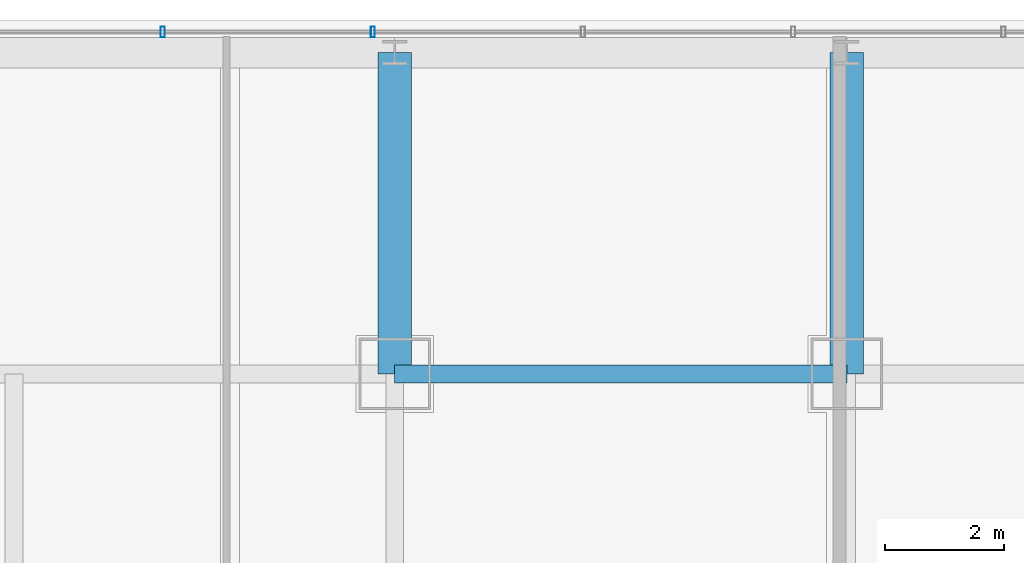
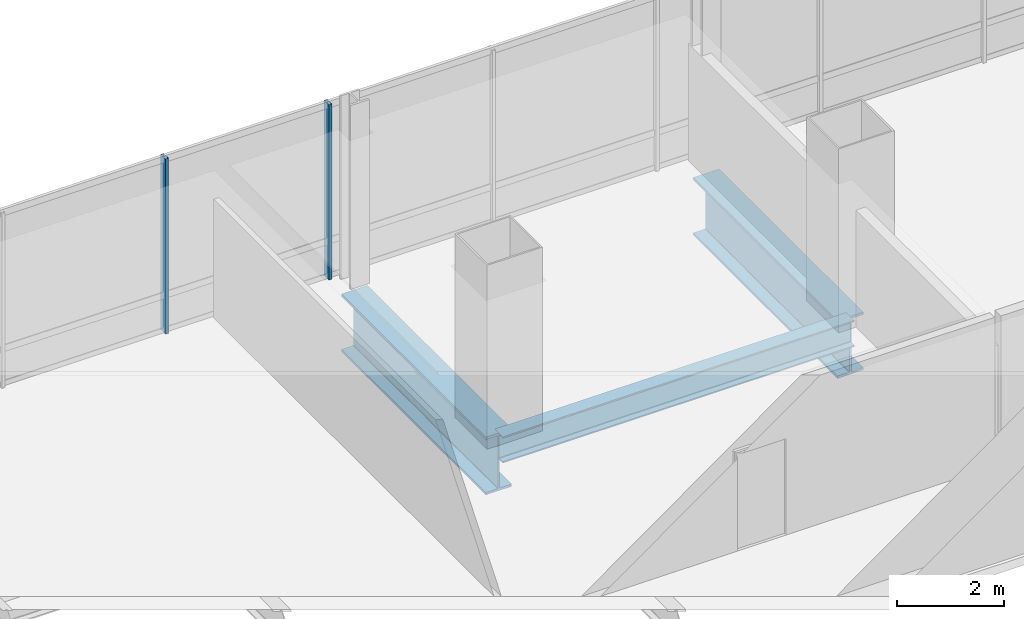
# One storey, part 25 of 41: 3 beams, 2 members, 1 element without a shape of its own.
"""IFC4 building model written with IfcOpenShell, lengths in metres."""

import ifcopenshell
import ifcopenshell.guid

model = None  # the IFC model being written
_history = None  # IfcOwnerHistory: only IFC2X3 demands one
_inside = {}  # id of a spatial element -> (the spatial element, [elements in it])
_under = {}  # id of a project, library or spatial element -> (it, [spatial elements below it])
_declared = {}  # id of a project -> (the project, [libraries it declares])
_typed = {}  # id of a type object -> (the type object, [elements of that type])
_made_of = {}  # id of a material, layer set ... -> (it, [elements and type objects made of it])


def new_model(schema):
    """Start an empty IFC model of exactly this schema.

    Asked for "IFC4X3", IfcOpenShell would pick the latest addendum, in which some entities
    have other attributes; the version numbers below select the first issue.
    IFC2X3 requires an IfcOwnerHistory on every rooted entity: one is made here for all.
    """
    global model, _history
    if schema == "IFC4X3":
        model = ifcopenshell.file(schema_version=(4, 3, 0, 0))
    else:
        model = ifcopenshell.file(schema=schema)
    _inside.clear()
    _under.clear()
    _declared.clear()
    _typed.clear()
    _made_of.clear()
    _history = None
    if model.schema == "IFC2X3":
        org = make("IfcOrganization", Name="unknown")
        user = make(
            "IfcPersonAndOrganization",
            ThePerson=make("IfcPerson", FamilyName="unknown"),
            TheOrganization=org,
        )
        app = make(
            "IfcApplication",
            ApplicationDeveloper=org,
            Version="unknown",
            ApplicationFullName="unknown",
            ApplicationIdentifier="unknown",
        )
        _history = make(
            "IfcOwnerHistory",
            OwningUser=user,
            OwningApplication=app,
            ChangeAction="ADDED",
            CreationDate=0,
        )
    return model


def make(cls, **values):
    """One entity of the class cls with the attributes given. An attribute that is None is left unset."""
    return model.create_entity(
        cls, **{name: value for name, value in values.items() if value is not None}
    )


def rooted(cls, **values):
    """An entity with a GlobalId (a new one), such as an element, a storey or a relation."""
    return make(cls, GlobalId=ifcopenshell.guid.new(), OwnerHistory=_history, **values)


def si_unit(unit_type, name, prefix=None):
    """IfcSIUnit, for example si_unit("LENGTHUNIT", "METRE", prefix="MILLI")."""
    return make("IfcSIUnit", UnitType=unit_type, Prefix=prefix, Name=name)


def assignment(units):
    """IfcUnitAssignment: the units of a project."""
    return None if units is None else make("IfcUnitAssignment", Units=units)


def point(xyz):
    """IfcCartesianPoint."""
    return None if xyz is None else make("IfcCartesianPoint", Coordinates=xyz)


def direction(xyz):
    """IfcDirection."""
    return None if xyz is None else make("IfcDirection", DirectionRatios=xyz)


def frame(location, z_axis=None, x_axis=None):
    """IfcAxis2Placement3D, a coordinate frame: its origin and axes. An axis left out is left unset."""
    return make(
        "IfcAxis2Placement3D",
        Location=point(location),
        Axis=direction(z_axis),
        RefDirection=direction(x_axis),
    )


def frame_2d(location, x_axis=None):
    """IfcAxis2Placement2D, a coordinate frame in the plane: its origin and x axis."""
    return make(
        "IfcAxis2Placement2D", Location=point(location), RefDirection=direction(x_axis)
    )


def origin():
    """The frame at (0, 0, 0) with its axes left unset."""
    return frame((0.0, 0.0, 0.0))


def origin_2d():
    """The frame at (0, 0) in the plane with its x axis left unset."""
    return frame_2d((0.0, 0.0))


def place(relative_to, where):
    """IfcLocalPlacement: puts the frame where relative to a parent placement (None: the world)."""
    return make(
        "IfcLocalPlacement", PlacementRelTo=relative_to, RelativePlacement=where
    )


def context(
    kind, dimensions, precision=None, world=None, true_north=None, identifier=None
):
    """IfcGeometricRepresentationContext, for example the 3D "Model" context."""
    return make(
        "IfcGeometricRepresentationContext",
        ContextIdentifier=identifier,
        ContextType=kind,
        CoordinateSpaceDimension=dimensions,
        Precision=precision,
        WorldCoordinateSystem=world,
        TrueNorth=true_north,
    )


def subcontext(parent, identifier, kind, view, scale=None):
    """IfcGeometricRepresentationSubContext, for example "Body" below "Model"."""
    return make(
        "IfcGeometricRepresentationSubContext",
        ContextIdentifier=identifier,
        ContextType=kind,
        ParentContext=parent,
        TargetScale=scale,
        TargetView=view,
    )


def project(units=None, contexts=None):
    """IfcProject with its units and contexts."""
    return rooted(
        "IfcProject",
        Name="project",
        RepresentationContexts=contexts,
        UnitsInContext=assignment(units),
    )


def spatial(cls, under=None, at=None, **own):
    """A site, building, storey or space (cls), placed at a placement, below another one or the project."""
    s = rooted(cls, ObjectPlacement=at, **own)
    if under is not None:
        _under.setdefault(under.id(), (under, []))[1].append(s)
    return s


def profile(cls, at=None, kind="AREA", **sizes):
    """A parametric profile (cls). Its sizes go by their IFC names, for example OverallWidth=200.0."""
    return make(cls, ProfileType=kind, Position=at, **sizes)


def hollow_rectangle(**sizes):
    """IfcRectangleHollowProfileDef."""
    return profile("IfcRectangleHollowProfileDef", **sizes)


def i_section(**sizes):
    """IfcIShapeProfileDef."""
    return profile("IfcIShapeProfileDef", **sizes)


def extrude(swept, where, along, depth):
    """IfcExtrudedAreaSolid: the profile swept, set in the frame where, extruded along a direction by depth."""
    return make(
        "IfcExtrudedAreaSolid",
        SweptArea=swept,
        Position=where,
        ExtrudedDirection=direction(along),
        Depth=depth,
    )


def shape(context_of_items, identifier, shape_type, items):
    """IfcShapeRepresentation: the items that make up one representation, for example the "Body"."""
    return make(
        "IfcShapeRepresentation",
        ContextOfItems=context_of_items,
        RepresentationIdentifier=identifier,
        RepresentationType=shape_type,
        Items=items,
    )


def material(Name=None, Category=None):
    """IfcMaterial."""
    return make("IfcMaterial", Name=Name, Category=Category)


def material_profile(
    of_material, cross_section, Name=None, Category=None, Priority=None
):
    """IfcMaterialProfile: a cross section and its material."""
    return make(
        "IfcMaterialProfile",
        Name=Name,
        Material=of_material,
        Profile=cross_section,
        Priority=Priority,
        Category=Category,
    )


def profile_set(profiles, Name=None, composite=None):
    """IfcMaterialProfileSet."""
    return make(
        "IfcMaterialProfileSet",
        Name=Name,
        MaterialProfiles=profiles,
        CompositeProfile=composite,
    )


def made_of(thing, what):
    """Note that an element or type object is made of a material, layer set ...; save() writes the relation."""
    if what is not None:
        _made_of.setdefault(what.id(), (what, []))[1].append(thing)
    return thing


def type_object(cls, material=None, **own):
    """A type object (cls), such as IfcWallType, which elements share."""
    return made_of(rooted(cls, **own), material)


def element(
    cls,
    number,
    at=None,
    inside=None,
    cuts=None,
    type_object=None,
    material=None,
    context=None,
    identifier="Body",
    shape_type=None,
    held_by="IfcProductDefinitionShape",
    body=None,
    shapes=None,
    **own,
):
    """One element of the class cls, such as IfcWall. Its Tag is "e" and its number.

    at: its placement. inside: the storey or other place that contains it. cuts: it is an
    opening in that element (IfcRelVoidsElement). A single representation is given by context,
    identifier, shape_type and body (its items); several are given by shapes. held_by: the class
    of the entity that holds the representations. save() writes the other relations.
    """
    e = rooted(cls, Tag="e%d" % number, ObjectPlacement=at, **own)
    if body is not None:
        shapes = [shape(context, identifier, shape_type, body)]
    if shapes is not None:
        e.Representation = make(held_by, Representations=shapes)
    if inside is not None:
        _inside.setdefault(inside.id(), (inside, []))[1].append(e)
    if cuts is not None:
        rooted(
            "IfcRelVoidsElement", RelatingBuildingElement=cuts, RelatedOpeningElement=e
        )
    if type_object is not None:
        _typed.setdefault(type_object.id(), (type_object, []))[1].append(e)
    return made_of(e, material)


def aggregate(whole, parts):
    """IfcRelAggregates: a whole, such as a stair, and the parts it consists of."""
    return rooted("IfcRelAggregates", RelatingObject=whole, RelatedObjects=parts)


def save(model, path):
    """Write the relations noted so far, then the file.

    IfcRelAggregates (storeys below a building ...), IfcRelContainedInSpatialStructure (elements
    in a storey), IfcRelDefinesByType, IfcRelAssociatesMaterial and IfcRelDeclares: one each for
    every whole, place, type object, material and project.
    """
    for whole, parts in _under.values():
        aggregate(whole, parts)
    for where, things in _inside.values():
        rooted(
            "IfcRelContainedInSpatialStructure",
            RelatedElements=things,
            RelatingStructure=where,
        )
    for kind, things in _typed.values():
        rooted("IfcRelDefinesByType", RelatedObjects=things, RelatingType=kind)
    for what, things in _made_of.values():
        rooted("IfcRelAssociatesMaterial", RelatedObjects=things, RelatingMaterial=what)
    for by, libraries in _declared.values():
        rooted("IfcRelDeclares", RelatingContext=by, RelatedDefinitions=libraries)
    model.write(path)


model = new_model("IFC4")

# Units and contexts
model_context = context("Model", 3, precision=1e-05, world=origin(), true_north=direction((0.0, 1.0)))
body_context = subcontext(model_context, "Body", "Model", "MODEL_VIEW")
ifc_project = project(units=[si_unit("LENGTHUNIT", "METRE"), si_unit("AREAUNIT", "SQUARE_METRE"), si_unit("VOLUMEUNIT", "CUBIC_METRE"), si_unit("PLANEANGLEUNIT", "RADIAN"), si_unit("MASSUNIT", "GRAM", prefix="KILO")], contexts=[model_context])

# Site, building, storey
site_placement = place(None, origin())
site = spatial("IfcSite", under=ifc_project, at=site_placement, CompositionType="ELEMENT")
building_placement = place(site_placement, origin())
building = spatial("IfcBuilding", under=site, at=building_placement, Name="Punatoya Terracotta Tower", CompositionType="ELEMENT")
storey_placement = place(building_placement, frame((0.0, 0.0, 288.0)))
storey = spatial("IfcBuildingStorey", under=building, at=storey_placement, Name="L68", CompositionType="ELEMENT", Elevation=288.0)

# Beams
ifc_material_1 = material(Name="Steel S355", Category="steel")
ifc_material_profile_1 = material_profile(ifc_material_1, i_section(OverallWidth=0.300048828125, OverallDepth=0.60009765625, WebThickness=0.015380859375, FlangeThickness=0.030029296875, FilletRadius=0.01806640625, at=origin_2d()))
ifc_profile_set_1 = profile_set([ifc_material_profile_1], Name="Steel S355")
beam_type_1 = type_object("IfcBeamType", Name="BM-PRI-600", PredefinedType="BEAM", material=ifc_profile_set_1)
beam_placement = place(storey_placement, frame((-3.800048828125, 17.5, -0.5), z_axis=(1.0, 0.0, 0.0), x_axis=(0.0, 1.0, 0.0)))
element("IfcBeam", 1, at=beam_placement, inside=storey, type_object=beam_type_1, Name="BM-L68-RG-N2", PredefinedType="BEAM", context=body_context, shape_type="SweptSolid", body=[
    extrude(i_section(OverallWidth=0.300048828125, OverallDepth=0.60009765625, WebThickness=0.015380859375, FlangeThickness=0.030029296875, FilletRadius=0.01806640625, at=origin_2d()), origin(), (0.0, 0.0, 1.0), 7.60009765625),
])
ifc_material_2 = material(Name="Steel S460", Category="steel")
ifc_material_profile_2 = material_profile(ifc_material_2, i_section(OverallWidth=0.56005859375, OverallDepth=1.320068359375, WebThickness=0.035888671875, FlangeThickness=0.054931640625, FilletRadius=0.01806640625, at=origin_2d()))
ifc_profile_set_2 = profile_set([ifc_material_profile_2], Name="Steel S460")
beam_type_2 = type_object("IfcBeamType", Name="BM-TG-BLK", PredefinedType="BEAM", material=ifc_profile_set_2)
for number, where, z_axis, x_axis, name in (
    (2, (-3.800048828125, 17.5, -0.860107421875), (0.0, 1.0, 0.0), (-1.0, 0.0, 0.0), "BM-L68-CANT-N2"),
    (3, (3.800048828125, 17.5, -0.860107421875), (0.0, 1.0, 0.0), (-1.0, 0.0, 0.0), "BM-L68-CANT-N3"),
):
    element("IfcBeam", number, at=place(storey_placement, frame(where, z_axis=z_axis, x_axis=x_axis)), inside=storey, type_object=beam_type_2, Name=name, PredefinedType="BEAM", context=body_context, shape_type="SweptSolid", body=[
        extrude(i_section(OverallWidth=0.56005859375, OverallDepth=1.320068359375, WebThickness=0.035888671875, FlangeThickness=0.054931640625, FilletRadius=0.01806640625, at=origin_2d()), origin(), (0.0, 0.0, 1.0), 5.39990234375),
    ])

# Curtain wall, members
ifc_material_3 = material(Name="Aluminium 6063-T6 + Double Low-E Glass", Category="aluminium")
curtain_wall_type = type_object("IfcCurtainWallType", Name="CW-M3", PredefinedType="NOTDEFINED", material=ifc_material_3)
curtain_wall_placement = place(storey_placement, origin())
curtain_wall = element("IfcCurtainWall", 4, at=curtain_wall_placement, inside=storey, type_object=curtain_wall_type, Name="L68 Curtain Wall CW-L68-N09-1", PredefinedType="NOTDEFINED")
ifc_material_4 = material(Name="Aluminium 6063-T6", Category="aluminium")
ifc_material_profile_3 = material_profile(ifc_material_4, hollow_rectangle(XDim=0.070068359375, YDim=0.179931640625, WallThickness=0.00390625, at=origin_2d()))
ifc_profile_set_3 = profile_set([ifc_material_profile_3], Name="Aluminium 6063-T6")
member_type = type_object("IfcMemberType", Name="CW-MUL-M3", PredefinedType="MULLION", material=ifc_profile_set_3)
member_1_placement = place(storey_placement, frame((-4.1669921875, 23.25, 0.0), z_axis=(0.0, 0.0, 1.0), x_axis=(1.0, 0.0, 0.0)))
member_1 = element("IfcMember", 5, at=member_1_placement, type_object=member_type, Name="CW-L68-N09-1 Mullion 06", PredefinedType="MULLION", context=body_context, shape_type="SweptSolid", body=[
    extrude(hollow_rectangle(XDim=0.070068359375, YDim=0.179931640625, WallThickness=0.00390625, at=origin_2d()), origin(), (0.0, 0.0, 1.0), 4.0),
])
member_2_placement = place(storey_placement, frame((-7.700927734375, 23.25, 0.0), z_axis=(0.0, 0.0, 1.0), x_axis=(1.0, 0.0, 0.0)))
member_2 = element("IfcMember", 6, at=member_2_placement, type_object=member_type, Name="CW-L68-N09-1 Mullion 07", PredefinedType="MULLION", context=body_context, shape_type="SweptSolid", body=[
    extrude(hollow_rectangle(XDim=0.070068359375, YDim=0.179931640625, WallThickness=0.00390625, at=origin_2d()), origin(), (0.0, 0.0, 1.0), 4.0),
])
aggregate(curtain_wall, [member_1, member_2])

save(model, "model.ifc")
